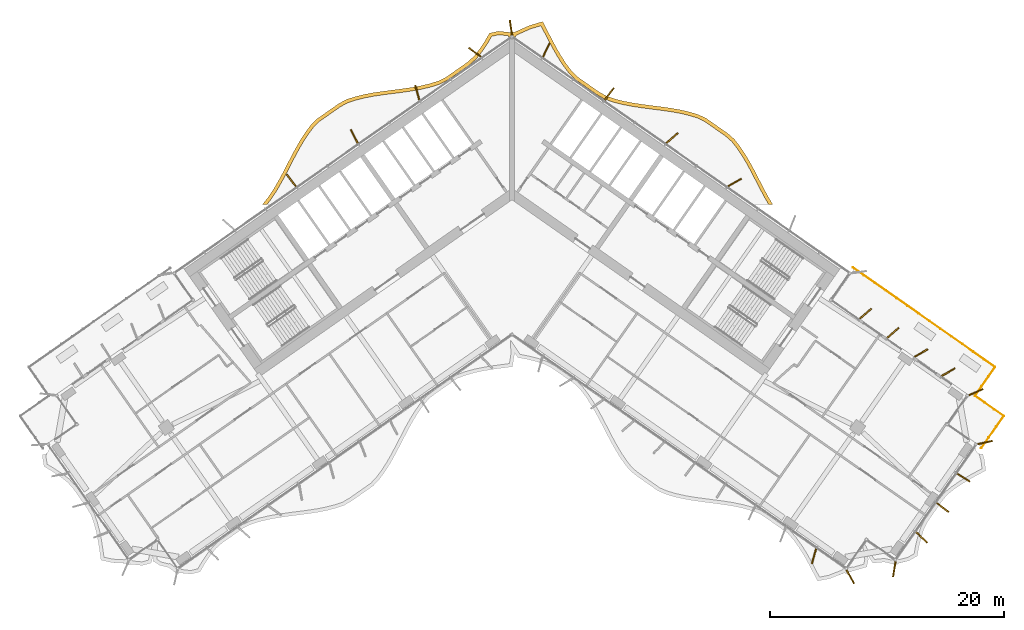
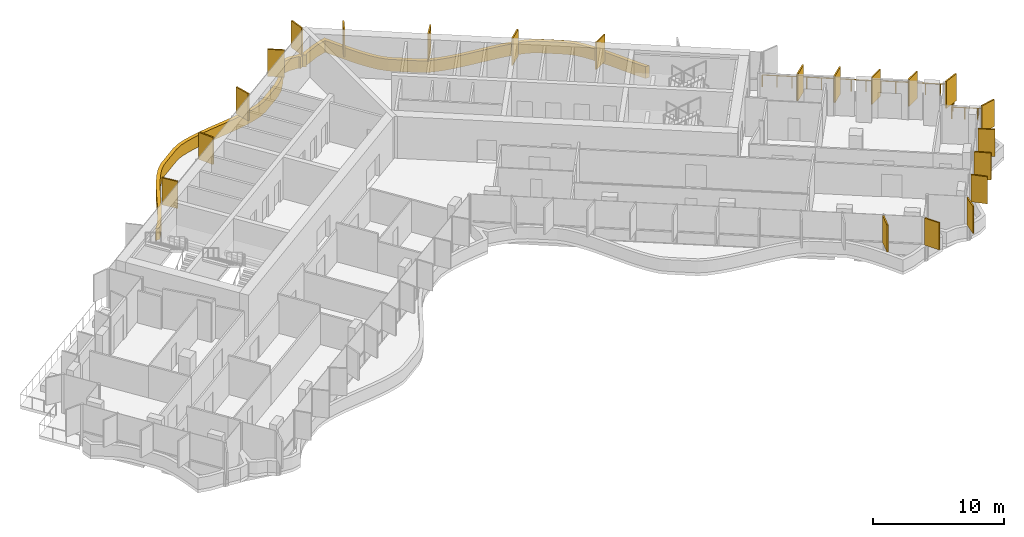
# One storey, part 22 of 24: 22 shading devices, 1 railing.
"""IFC4 building model written with IfcOpenShell, lengths in metres."""

import ifcopenshell
import ifcopenshell.guid

model = None  # the IFC model being written
_history = None  # IfcOwnerHistory: only IFC2X3 demands one
_inside = {}  # id of a spatial element -> (the spatial element, [elements in it])
_under = {}  # id of a project, library or spatial element -> (it, [spatial elements below it])
_declared = {}  # id of a project -> (the project, [libraries it declares])
_typed = {}  # id of a type object -> (the type object, [elements of that type])
_made_of = {}  # id of a material, layer set ... -> (it, [elements and type objects made of it])


def new_model(schema):
    """Start an empty IFC model of exactly this schema.

    Asked for "IFC4X3", IfcOpenShell would pick the latest addendum, in which some entities
    have other attributes; the version numbers below select the first issue.
    IFC2X3 requires an IfcOwnerHistory on every rooted entity: one is made here for all.
    """
    global model, _history
    if schema == "IFC4X3":
        model = ifcopenshell.file(schema_version=(4, 3, 0, 0))
    else:
        model = ifcopenshell.file(schema=schema)
    _inside.clear()
    _under.clear()
    _declared.clear()
    _typed.clear()
    _made_of.clear()
    _history = None
    if model.schema == "IFC2X3":
        org = make("IfcOrganization", Name="unknown")
        user = make(
            "IfcPersonAndOrganization",
            ThePerson=make("IfcPerson", FamilyName="unknown"),
            TheOrganization=org,
        )
        app = make(
            "IfcApplication",
            ApplicationDeveloper=org,
            Version="unknown",
            ApplicationFullName="unknown",
            ApplicationIdentifier="unknown",
        )
        _history = make(
            "IfcOwnerHistory",
            OwningUser=user,
            OwningApplication=app,
            ChangeAction="ADDED",
            CreationDate=0,
        )
    return model


def make(cls, **values):
    """One entity of the class cls with the attributes given. An attribute that is None is left unset."""
    return model.create_entity(
        cls, **{name: value for name, value in values.items() if value is not None}
    )


def rooted(cls, **values):
    """An entity with a GlobalId (a new one), such as an element, a storey or a relation."""
    return make(cls, GlobalId=ifcopenshell.guid.new(), OwnerHistory=_history, **values)


def si_unit(unit_type, name, prefix=None):
    """IfcSIUnit, for example si_unit("LENGTHUNIT", "METRE", prefix="MILLI")."""
    return make("IfcSIUnit", UnitType=unit_type, Prefix=prefix, Name=name)


def assignment(units):
    """IfcUnitAssignment: the units of a project."""
    return None if units is None else make("IfcUnitAssignment", Units=units)


def point(xyz):
    """IfcCartesianPoint."""
    return None if xyz is None else make("IfcCartesianPoint", Coordinates=xyz)


def direction(xyz):
    """IfcDirection."""
    return None if xyz is None else make("IfcDirection", DirectionRatios=xyz)


def frame(location, z_axis=None, x_axis=None):
    """IfcAxis2Placement3D, a coordinate frame: its origin and axes. An axis left out is left unset."""
    return make(
        "IfcAxis2Placement3D",
        Location=point(location),
        Axis=direction(z_axis),
        RefDirection=direction(x_axis),
    )


def frame_2d(location, x_axis=None):
    """IfcAxis2Placement2D, a coordinate frame in the plane: its origin and x axis."""
    return make(
        "IfcAxis2Placement2D", Location=point(location), RefDirection=direction(x_axis)
    )


def origin():
    """The frame at (0, 0, 0) with its axes left unset."""
    return frame((0.0, 0.0, 0.0))


def origin_2d():
    """The frame at (0, 0) in the plane with its x axis left unset."""
    return frame_2d((0.0, 0.0))


def place(relative_to, where):
    """IfcLocalPlacement: puts the frame where relative to a parent placement (None: the world)."""
    return make(
        "IfcLocalPlacement", PlacementRelTo=relative_to, RelativePlacement=where
    )


def context(
    kind, dimensions, precision=None, world=None, true_north=None, identifier=None
):
    """IfcGeometricRepresentationContext, for example the 3D "Model" context."""
    return make(
        "IfcGeometricRepresentationContext",
        ContextIdentifier=identifier,
        ContextType=kind,
        CoordinateSpaceDimension=dimensions,
        Precision=precision,
        WorldCoordinateSystem=world,
        TrueNorth=true_north,
    )


def subcontext(parent, identifier, kind, view, scale=None):
    """IfcGeometricRepresentationSubContext, for example "Body" below "Model"."""
    return make(
        "IfcGeometricRepresentationSubContext",
        ContextIdentifier=identifier,
        ContextType=kind,
        ParentContext=parent,
        TargetScale=scale,
        TargetView=view,
    )


def project(units=None, contexts=None):
    """IfcProject with its units and contexts."""
    return rooted(
        "IfcProject",
        Name="project",
        RepresentationContexts=contexts,
        UnitsInContext=assignment(units),
    )


def spatial(cls, under=None, at=None, **own):
    """A site, building, storey or space (cls), placed at a placement, below another one or the project."""
    s = rooted(cls, ObjectPlacement=at, **own)
    if under is not None:
        _under.setdefault(under.id(), (under, []))[1].append(s)
    return s


def polyline(points):
    """IfcPolyline through the points."""
    return make("IfcPolyline", Points=[point(p) for p in points])


def profile(cls, at=None, kind="AREA", **sizes):
    """A parametric profile (cls). Its sizes go by their IFC names, for example OverallWidth=200.0."""
    return make(cls, ProfileType=kind, Position=at, **sizes)


def rectangle(**sizes):
    """IfcRectangleProfileDef."""
    return profile("IfcRectangleProfileDef", **sizes)


def circle(**sizes):
    """IfcCircleProfileDef."""
    return profile("IfcCircleProfileDef", **sizes)


def outline(outer, holes=None, kind="AREA"):
    """IfcArbitraryClosedProfileDef: a profile drawn as a closed curve; with holes, ...WithVoids."""
    if holes is None:
        return make("IfcArbitraryClosedProfileDef", ProfileType=kind, OuterCurve=outer)
    return make(
        "IfcArbitraryProfileDefWithVoids",
        ProfileType=kind,
        OuterCurve=outer,
        InnerCurves=holes,
    )


def extrude(swept, where, along, depth):
    """IfcExtrudedAreaSolid: the profile swept, set in the frame where, extruded along a direction by depth."""
    return make(
        "IfcExtrudedAreaSolid",
        SweptArea=swept,
        Position=where,
        ExtrudedDirection=direction(along),
        Depth=depth,
    )


def shape(context_of_items, identifier, shape_type, items):
    """IfcShapeRepresentation: the items that make up one representation, for example the "Body"."""
    return make(
        "IfcShapeRepresentation",
        ContextOfItems=context_of_items,
        RepresentationIdentifier=identifier,
        RepresentationType=shape_type,
        Items=items,
    )


def material(Name=None, Category=None):
    """IfcMaterial."""
    return make("IfcMaterial", Name=Name, Category=Category)


def layer(
    of_material, thickness, ventilated=None, Name=None, Category=None, Priority=None
):
    """IfcMaterialLayer: one layer of a wall or slab, of a material (None: an air gap)."""
    return make(
        "IfcMaterialLayer",
        Material=of_material,
        LayerThickness=thickness,
        IsVentilated=ventilated,
        Name=Name,
        Category=Category,
        Priority=Priority,
    )


def layer_set(layers, Name=None):
    """IfcMaterialLayerSet."""
    return make("IfcMaterialLayerSet", MaterialLayers=layers, LayerSetName=Name)


def made_of(thing, what):
    """Note that an element or type object is made of a material, layer set ...; save() writes the relation."""
    if what is not None:
        _made_of.setdefault(what.id(), (what, []))[1].append(thing)
    return thing


def type_object(cls, material=None, **own):
    """A type object (cls), such as IfcWallType, which elements share."""
    return made_of(rooted(cls, **own), material)


def element(
    cls,
    number,
    at=None,
    inside=None,
    cuts=None,
    type_object=None,
    material=None,
    context=None,
    identifier="Body",
    shape_type=None,
    held_by="IfcProductDefinitionShape",
    body=None,
    shapes=None,
    **own,
):
    """One element of the class cls, such as IfcWall. Its Tag is "e" and its number.

    at: its placement. inside: the storey or other place that contains it. cuts: it is an
    opening in that element (IfcRelVoidsElement). A single representation is given by context,
    identifier, shape_type and body (its items); several are given by shapes. held_by: the class
    of the entity that holds the representations. save() writes the other relations.
    """
    e = rooted(cls, Tag="e%d" % number, ObjectPlacement=at, **own)
    if body is not None:
        shapes = [shape(context, identifier, shape_type, body)]
    if shapes is not None:
        e.Representation = make(held_by, Representations=shapes)
    if inside is not None:
        _inside.setdefault(inside.id(), (inside, []))[1].append(e)
    if cuts is not None:
        rooted(
            "IfcRelVoidsElement", RelatingBuildingElement=cuts, RelatedOpeningElement=e
        )
    if type_object is not None:
        _typed.setdefault(type_object.id(), (type_object, []))[1].append(e)
    return made_of(e, material)


def aggregate(whole, parts):
    """IfcRelAggregates: a whole, such as a stair, and the parts it consists of."""
    return rooted("IfcRelAggregates", RelatingObject=whole, RelatedObjects=parts)


def save(model, path):
    """Write the relations noted so far, then the file.

    IfcRelAggregates (storeys below a building ...), IfcRelContainedInSpatialStructure (elements
    in a storey), IfcRelDefinesByType, IfcRelAssociatesMaterial and IfcRelDeclares: one each for
    every whole, place, type object, material and project.
    """
    for whole, parts in _under.values():
        aggregate(whole, parts)
    for where, things in _inside.values():
        rooted(
            "IfcRelContainedInSpatialStructure",
            RelatedElements=things,
            RelatingStructure=where,
        )
    for kind, things in _typed.values():
        rooted("IfcRelDefinesByType", RelatedObjects=things, RelatingType=kind)
    for what, things in _made_of.values():
        rooted("IfcRelAssociatesMaterial", RelatedObjects=things, RelatingMaterial=what)
    for by, libraries in _declared.values():
        rooted("IfcRelDeclares", RelatingContext=by, RelatedDefinitions=libraries)
    model.write(path)


model = new_model("IFC4")

# Units and contexts
model_context = context("Model", 3, precision=1e-05, world=origin(), true_north=direction((0.0, 1.0)))
body_context = subcontext(model_context, "Body", "Model", "MODEL_VIEW")
ifc_project = project(units=[si_unit("LENGTHUNIT", "METRE"), si_unit("AREAUNIT", "SQUARE_METRE"), si_unit("VOLUMEUNIT", "CUBIC_METRE"), si_unit("PLANEANGLEUNIT", "RADIAN"), si_unit("MASSUNIT", "GRAM", prefix="KILO")], contexts=[model_context])

# Site, building, storey
site_placement = place(None, origin())
site = spatial("IfcSite", under=ifc_project, at=site_placement, CompositionType="ELEMENT")
building_placement = place(site_placement, origin())
building = spatial("IfcBuilding", under=site, at=building_placement, Name="Tel Ilan Convention Tower", CompositionType="ELEMENT")
storey_placement = place(building_placement, frame((0.0, 0.0, 132.0)))
storey = spatial("IfcBuildingStorey", under=building, at=storey_placement, Name="L29", CompositionType="ELEMENT", Elevation=132.0)

# Shading devices
ifc_material_1 = material(Name="Aluminium, bronze anodised", Category="aluminium")
ifc_layer_1 = layer(ifc_material_1, 0.1201171875)
ifc_layer_set_1 = layer_set([ifc_layer_1], Name="FIN BRONZE 1300x120")
shading_device_type_1 = type_object("IfcShadingDeviceType", Name="FIN BRONZE 1300x120", PredefinedType="USERDEFINED", material=ifc_layer_set_1)
for number, where, z_axis, x_axis, name in (
    (1, (37.235595703125, -15.923095703125, 1.10009765625), (0.0, 0.0, 1.0), (0.866025403784, 0.5, 0.0), "FIN"),
    (2, (34.9091796875, -14.294189453125, 1.10009765625), (0.0, 0.0, 1.0), (0.866025403784, 0.5, 0.0), "FIN"),
    (3, (32.503173828125, -12.57177734375, 1.10009765625), (0.0, 0.0, 1.0), (0.753435896329, 0.657521368568, 0.0), "FIN"),
    (4, (30.177001953125, -10.94287109375, 1.10009765625), (0.0, 0.0, 1.0), (0.753435896329, 0.657521368568, 0.0), "FIN"),
    (5, (19.005615234375, 0.259765625, 1.10009765625), (0.0, 0.0, 1.0), (0.866025403784, 0.5, 0.0), "FIN"),
    (6, (13.660888671875, 4.0400390625, 1.10009765625), (0.0, 0.0, 1.0), (0.753435896329, 0.657521368568, 0.0), "FIN"),
    (7, (8.29736328125, 7.8037109375, 1.10009765625), (0.0, 0.0, 1.0), (0.612600545196, 0.790392669516, 0.0), "FIN"),
    (8, (2.928955078125, 11.562255859375, 1.10009765625), (0.0, 0.0, 1.0), (0.448799180206, 0.893632640321, 0.0), "FIN"),
    (9, (-0.09423828125, 13.469482421875, 1.10009765625), (0.0, 0.0, 1.0), (-0.144931859301, 0.989441638582, 0.0), "FIN"),
    (10, (-3.172607421875, 11.36865234375, 1.10009765625), (0.0, 0.0, 1.0), (-0.813552070258, 0.581492071294, 0.0), "FIN"),
    (11, (-8.083251953125, 7.93017578125, 1.10009765625), (0.0, 0.0, 1.0), (-0.268172612768, 0.963370878614, 0.0), "FIN"),
    (12, (-13.45947265625, 4.188720703125, 1.10009765625), (0.0, 0.0, 1.0), (-0.448799180206, 0.893632640321, 0.0), "FIN"),
    (13, (-18.827880859375, 0.43017578125, 1.10009765625), (0.0, 0.0, 1.0), (-0.612600545196, 0.790392669516, 0.0), "FIN"),
    (14, (25.76513671875, -31.631103515625, 1.10009765625), (0.0, 0.0, 1.0), (-0.268172612768, -0.963370878614, 0.0), "FIN"),
    (15, (28.86865234375, -33.391357421875, 1.10009765625), (0.0, 0.0, 1.0), (0.491579408049, -0.870832754082, 0.0), "FIN"),
    (16, (32.62060546875, -32.729736328125, 1.10009765625), (0.0, 0.0, 1.0), (-0.16409119891, -0.986445172547, 0.0), "FIN"),
    (17, (34.952880859375, -30.021728515625, 1.10009765625), (0.0, 0.0, 1.0), (0.727373641577, -0.686241637865, 0.0), "FIN"),
    (18, (36.73828125, -27.471923828125, 1.10009765625), (0.0, 0.0, 1.0), (0.790392669516, -0.612600545196, 0.0), "FIN"),
    (19, (38.52392578125, -24.922119140625, 1.10009765625), (0.0, 0.0, 1.0), (0.845986425922, -0.533204432798, 0.0), "FIN"),
    (20, (40.357666015625, -21.931396484375, 1.10009765625), (0.0, 0.0, 1.0), (0.975235208752, 0.221170268371, 0.0), "FIN"),
    (21, (39.5927734375, -17.6318359375, 1.10009765625), (0.0, 0.0, 1.0), (0.914332505315, 0.404964282034, 0.0), "FIN"),
):
    element("IfcShadingDevice", number, at=place(storey_placement, frame(where, z_axis=z_axis, x_axis=x_axis)), inside=storey, type_object=shading_device_type_1, Name=name, ObjectType="FIN", PredefinedType="USERDEFINED", context=body_context, shape_type="SweptSolid", body=[
        extrude(rectangle(XDim=1.300048828125, YDim=0.1201171875, at=origin_2d()), origin(), (0.0, 0.0, 1.0), 2.52001953125),
    ])
ifc_material_2 = material(Name="Aluminium, bronze anodised", Category="aluminium")
ifc_layer_2 = layer(ifc_material_2, 0.300048828125)
ifc_layer_set_2 = layer_set([ifc_layer_2], Name="LOUVRE BAND 300x1100")
shading_device_type_2 = type_object("IfcShadingDeviceType", Name="LOUVRE BAND 300x1100", PredefinedType="USERDEFINED", material=ifc_layer_set_2)
shading_device_placement = place(storey_placement, origin())
element("IfcShadingDevice", 22, at=shading_device_placement, inside=storey, type_object=shading_device_type_2, Name="LOUVRE BAND 23.01", ObjectType="LOUVRE", PredefinedType="USERDEFINED", context=body_context, shape_type="SweptSolid", body=[
    extrude(outline(polyline([(-20.849609375, -1.0634765625), (-21.30126953125, -1.631591796875), (-20.91796875, -1.631591796875), (-20.607666015625, -1.2412109375), (-20.154052734375, -0.572265625), (-19.73291015625, 0.13330078125), (-19.335205078125, 0.86328125), (-18.57080078125, 2.342041015625), (-18.1845703125, 3.06298828125), (-17.78369140625, 3.75341796875), (-17.359619140625, 4.40185546875), (-16.911376953125, 4.99072265625), (-16.409912109375, 5.478515625), (-14.633056640625, 6.722412109375), (-14.02197265625, 7.05712890625), (-13.32763671875, 7.284912109375), (-12.58056640625, 7.4697265625), (-11.800048828125, 7.61669921875), (-10.994384765625, 7.73681640625), (-9.345458984375, 7.94873046875), (-8.521484375, 8.068603515625), (-7.710693359375, 8.216064453125), (-6.921875, 8.404296875), (-6.152587890625, 8.64794921875), (-5.447509765625, 9.00390625), (-3.604248046875, 10.29443359375), (-3.021484375, 10.82373046875), (-2.525634765625, 11.46142578125), (-2.076904296875, 12.135498046875), (-1.727783203125, 12.727294921875), (-1.12451171875, 12.861572265625), (-0.33935546875, 12.77978515625), (-0.24609375, 12.646728515625), (0.0, 12.818115234375), (0.24609375, 12.646728515625), (0.3701171875, 12.82373046875), (1.583984375, 13.365234375), (2.46484375, 13.628173828125), (3.115478515625, 12.37158203125), (3.5078125, 11.636474609375), (3.92041015625, 10.921630859375), (4.362548828125, 10.239501953125), (4.84716796875, 9.595947265625), (5.407958984375, 9.031494140625), (7.251220703125, 7.74072265625), (7.93212890625, 7.353759765625), (8.69921875, 7.09716796875), (9.48291015625, 6.89990234375), (10.2900390625, 6.745361328125), (11.112060546875, 6.621337890625), (12.762939453125, 6.408935546875), (13.572509765625, 6.29248046875), (14.3583984375, 6.15185546875), (15.11279296875, 5.97509765625), (15.819580078125, 5.75537109375), (16.44921875, 5.450927734375), (18.22607421875, 4.206787109375), (18.74951171875, 3.746826171875), (19.200927734375, 3.172607421875), (19.63037109375, 2.533447265625), (20.03515625, 1.850341796875), (20.423583984375, 1.13427734375), (21.186767578125, -0.3427734375), (21.5810546875, -1.075927734375), (21.906005859375, -1.631591796875), (22.25341796875, -1.631591796875), (21.8427734375, -0.928955078125), (21.4521484375, -0.202880859375), (20.688720703125, 1.27490234375), (20.296142578125, 1.998291015625), (19.884033203125, 2.69384765625), (19.44384765625, 3.34912109375), (18.96826171875, 3.9541015625), (18.41162109375, 4.443115234375), (16.6015625, 5.71044921875), (15.929931640625, 6.03515625), (15.191650390625, 6.2646484375), (14.419189453125, 6.44580078125), (13.6201171875, 6.588623046875), (12.80322265625, 6.7060546875), (11.15380859375, 6.91845703125), (10.340576171875, 7.041259765625), (9.547607421875, 7.19287109375), (8.783447265625, 7.385498046875), (8.054931640625, 7.62890625), (7.411865234375, 7.99462890625), (5.601806640625, 9.261962890625), (5.074462890625, 9.792724609375), (4.608642578125, 10.41162109375), (4.17626953125, 11.078369140625), (3.770263671875, 11.7822265625), (3.38134765625, 12.510986328125), (2.6162109375, 13.986328125), (1.4794921875, 13.647216796875), (0.168701171875, 13.059326171875), (0.11474609375, 13.09521484375), (0.0, 13.1181640625), (-0.11474609375, 13.09521484375), (-0.168701171875, 13.059326171875), (-1.14208984375, 13.1650390625), (-1.919921875, 12.991943359375), (-2.3310546875, 12.294921875), (-2.769287109375, 11.63671875), (-3.242431640625, 11.0283203125), (-3.7919921875, 10.529296875), (-5.601806640625, 9.261962890625), (-6.26611328125, 8.926513671875), (-7.002197265625, 8.693603515625), (-7.7724609375, 8.509765625), (-8.570068359375, 8.36474609375), (-9.385986328125, 8.24609375), (-11.03564453125, 8.033935546875), (-11.849853515625, 7.91259765625), (-12.644287109375, 7.76318359375), (-13.41064453125, 7.573486328125), (-14.141845703125, 7.33349609375), (-14.791748046875, 6.977783203125), (-16.6015625, 5.71044921875), (-17.136474609375, 5.1904296875), (-17.604736328125, 4.574951171875), (-18.0390625, 3.9111328125), (-18.44677734375, 3.209228515625), (-18.83642578125, 2.481689453125), (-19.60009765625, 1.004150390625), (-19.993408203125, 0.281982421875), (-20.4072265625, -0.4111328125), (-20.849609375, -1.0634765625)])), origin(), (0.0, 0.0, 1.0), 1.10009765625),
])

# Railing
ifc_material_3 = material(Name="Stainless steel S316", Category="steel")
railing_type = type_object("IfcRailingType", Name="TERRACE GUARD 1100", PredefinedType="GUARDRAIL", material=ifc_material_3)
railing_placement = place(storey_placement, frame((29.100341796875, -7.0087890625, 0.0)))
element("IfcRailing", 23, at=railing_placement, inside=storey, type_object=railing_type, Name="Terrace guard 23.01", PredefinedType="GUARDRAIL", context=body_context, shape_type="SweptSolid", body=[
    extrude(circle(Radius=0.02490234375, at=origin_2d()), frame((0.0, 0.0, 1.0751953125), z_axis=(0.819149722073, -0.573579752805, 0.0), x_axis=(0.573579752805, 0.819149722073, 0.0)), (0.0, 0.0, 1.0), 14.79248046875),
    extrude(circle(Radius=0.02490234375, at=origin_2d()), frame((12.1171875, -8.484619140625, 1.0751953125), z_axis=(-0.573598887793, -0.819136323161, 0.0), x_axis=(0.819136323161, -0.573598887793, 0.0)), (0.0, 0.0, 1.0), 2.999755859375),
    extrude(circle(Radius=0.02490234375, at=origin_2d()), frame((10.396484375, -10.94189453125, 1.0751953125), z_axis=(0.819136323161, -0.573598887793, 0.0), x_axis=(0.573598887793, 0.819136323161, 0.0)), (0.0, 0.0, 1.0), 2.999755859375),
    extrude(circle(Radius=0.02490234375, at=origin_2d()), frame((12.853759765625, -12.66259765625, 1.0751953125), z_axis=(-0.573535875562, -0.819180443763, 0.0), x_axis=(0.819180443763, -0.573535875562, 0.0)), (0.0, 0.0, 1.0), 3.342529296875),
    extrude(circle(Radius=0.02490234375, at=origin_2d()), origin(), (0.0, 0.0, 1.0), 1.050048828125),
    extrude(circle(Radius=0.02490234375, at=origin_2d()), frame((0.93212890625, -0.652587890625, 0.0)), (0.0, 0.0, 1.0), 1.050048828125),
    extrude(circle(Radius=0.02490234375, at=origin_2d()), frame((1.8642578125, -1.305419921875, 0.0)), (0.0, 0.0, 1.0), 1.050048828125),
    extrude(circle(Radius=0.02490234375, at=origin_2d()), frame((2.79638671875, -1.9580078125, 0.0)), (0.0, 0.0, 1.0), 1.050048828125),
    extrude(circle(Radius=0.02490234375, at=origin_2d()), frame((3.728271484375, -2.610595703125, 0.0)), (0.0, 0.0, 1.0), 1.050048828125),
    extrude(circle(Radius=0.02490234375, at=origin_2d()), frame((4.660400390625, -3.263427734375, 0.0)), (0.0, 0.0, 1.0), 1.050048828125),
    extrude(circle(Radius=0.02490234375, at=origin_2d()), frame((5.592529296875, -3.916015625, 0.0)), (0.0, 0.0, 1.0), 1.050048828125),
    extrude(circle(Radius=0.02490234375, at=origin_2d()), frame((6.524658203125, -4.568603515625, 0.0)), (0.0, 0.0, 1.0), 1.050048828125),
    extrude(circle(Radius=0.02490234375, at=origin_2d()), frame((7.456787109375, -5.22119140625, 0.0)), (0.0, 0.0, 1.0), 1.050048828125),
    extrude(circle(Radius=0.02490234375, at=origin_2d()), frame((8.388916015625, -5.8740234375, 0.0)), (0.0, 0.0, 1.0), 1.050048828125),
    extrude(circle(Radius=0.02490234375, at=origin_2d()), frame((9.32080078125, -6.526611328125, 0.0)), (0.0, 0.0, 1.0), 1.050048828125),
    extrude(circle(Radius=0.02490234375, at=origin_2d()), frame((10.2529296875, -7.17919921875, 0.0)), (0.0, 0.0, 1.0), 1.050048828125),
    extrude(circle(Radius=0.02490234375, at=origin_2d()), frame((11.18505859375, -7.83203125, 0.0)), (0.0, 0.0, 1.0), 1.050048828125),
    extrude(circle(Radius=0.02490234375, at=origin_2d()), frame((12.1171875, -8.484619140625, 0.0)), (0.0, 0.0, 1.0), 1.050048828125),
    extrude(circle(Radius=0.02490234375, at=origin_2d()), frame((11.543701171875, -9.3037109375, 0.0)), (0.0, 0.0, 1.0), 1.050048828125),
    extrude(circle(Radius=0.02490234375, at=origin_2d()), frame((10.969970703125, -10.122802734375, 0.0)), (0.0, 0.0, 1.0), 1.050048828125),
    extrude(circle(Radius=0.02490234375, at=origin_2d()), frame((10.396484375, -10.94189453125, 0.0)), (0.0, 0.0, 1.0), 1.050048828125),
    extrude(circle(Radius=0.02490234375, at=origin_2d()), frame((11.215576171875, -11.515380859375, 0.0)), (0.0, 0.0, 1.0), 1.050048828125),
    extrude(circle(Radius=0.02490234375, at=origin_2d()), frame((12.03466796875, -12.089111328125, 0.0)), (0.0, 0.0, 1.0), 1.050048828125),
    extrude(circle(Radius=0.02490234375, at=origin_2d()), frame((12.853759765625, -12.66259765625, 0.0)), (0.0, 0.0, 1.0), 1.050048828125),
    extrude(circle(Radius=0.02490234375, at=origin_2d()), frame((12.21484375, -13.5751953125, 0.0)), (0.0, 0.0, 1.0), 1.050048828125),
    extrude(circle(Radius=0.02490234375, at=origin_2d()), frame((11.57568359375, -14.488037109375, 0.0)), (0.0, 0.0, 1.0), 1.050048828125),
    extrude(circle(Radius=0.02490234375, at=origin_2d()), frame((10.936767578125, -15.400634765625, 0.0)), (0.0, 0.0, 1.0), 1.050048828125),
])

save(model, "model.ifc")
